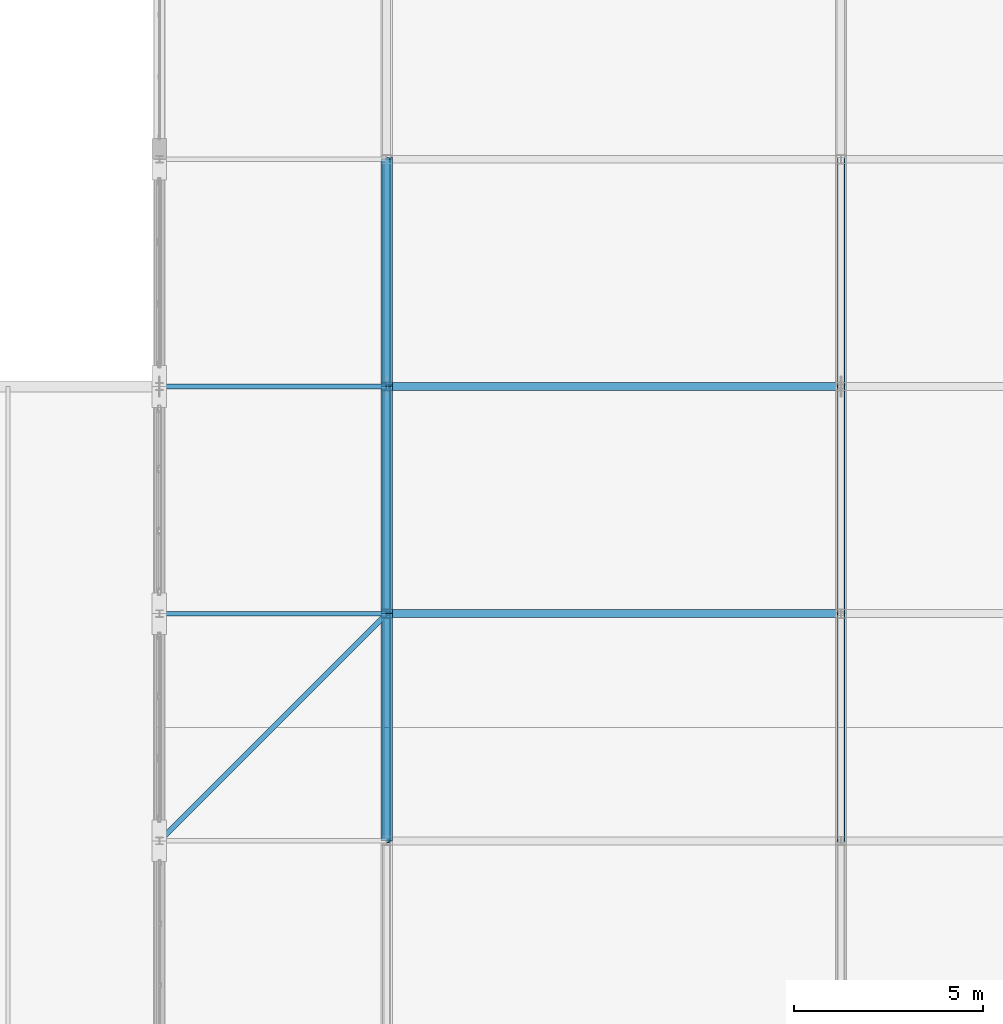
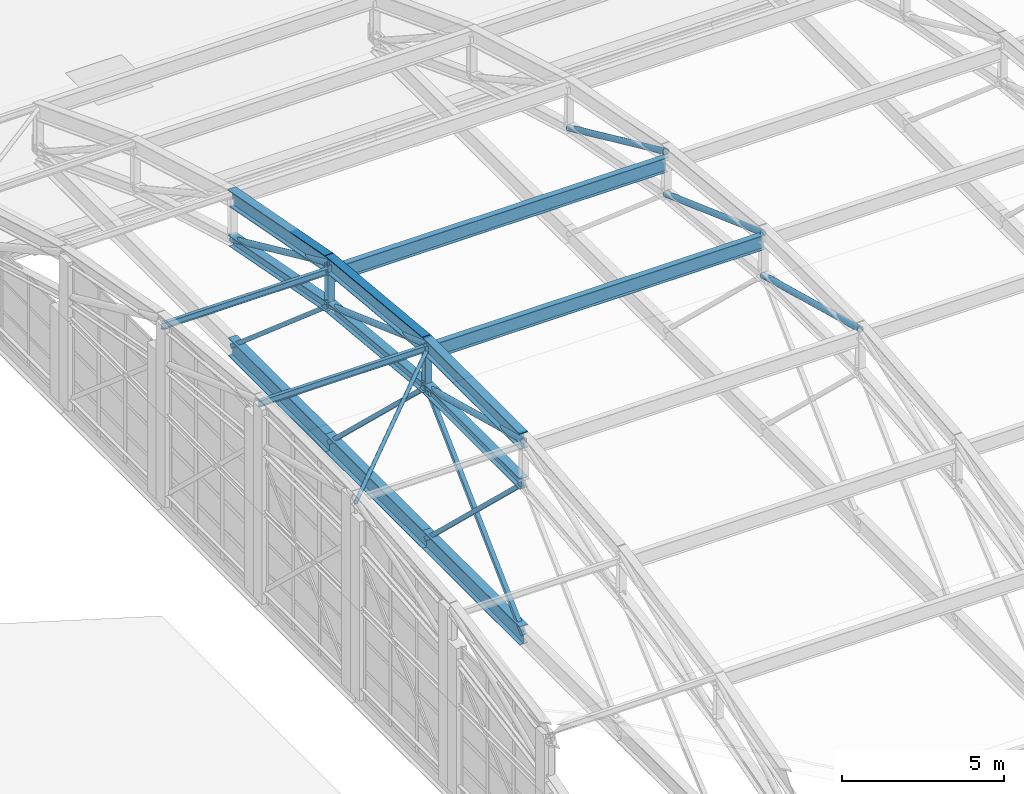
# One storey, part 85 of 204: 26 members.
"""IFC4 building model written with IfcOpenShell, lengths in metres."""

from ifc_helpers import new_model, si_unit, direction, frame, origin, origin_2d, place, context, subcontext, project, spatial, hollow_rectangle, hollow_circle, i_section, extrude, material, material_profile, profile_set, type_object, element, save


model = new_model("IFC4")

# Units and contexts
model_context = context("Model", 3, precision=1e-05, world=origin(), true_north=direction((0.0, 1.0)))
body_context = subcontext(model_context, "Body", "Model", "MODEL_VIEW")
ifc_project = project(units=[si_unit("LENGTHUNIT", "METRE"), si_unit("AREAUNIT", "SQUARE_METRE"), si_unit("VOLUMEUNIT", "CUBIC_METRE"), si_unit("PLANEANGLEUNIT", "RADIAN"), si_unit("MASSUNIT", "GRAM", prefix="KILO")], contexts=[model_context])

# Site, building, storey
site_placement = place(None, origin())
site = spatial("IfcSite", under=ifc_project, at=site_placement, CompositionType="ELEMENT")
building_placement = place(site_placement, origin())
building = spatial("IfcBuilding", under=site, at=building_placement, Name="Zilviju Railside Exhibition Hall", CompositionType="ELEMENT")
storey_placement = place(building_placement, frame((0.0, 0.0, 21.0)))
storey = spatial("IfcBuildingStorey", under=building, at=storey_placement, Name="RF", CompositionType="ELEMENT", Elevation=21.0)

# Members
ifc_material = material(Name="Steel S355J2", Category="steel")
ifc_material_profile_1 = material_profile(ifc_material, hollow_circle(Radius=0.06982421875, WallThickness=0.00634765625, at=origin_2d()), Name="CHS 139.7x6.3")
ifc_profile_set_1 = profile_set([ifc_material_profile_1], Name="Steel S355J2")
member_type_1 = type_object("IfcMemberType", Name="TR-BR-CHS139", PredefinedType="BRACE", material=ifc_profile_set_1)
member_1_placement = place(storey_placement, frame((78.0, 108.0, 3.50341796875), z_axis=(0.707106781187, 0.707106781187, 0.0), x_axis=(-0.707106781187, 0.707106781187, 0.0)))
element("IfcMember", 1, at=member_1_placement, inside=storey, type_object=member_type_1, Name="V2 Roof Wind Brace (78.0..84.0)", PredefinedType="BRACE", context=body_context, shape_type="SweptSolid", body=[
    extrude(hollow_circle(Radius=0.06982421875, WallThickness=0.00634765625, at=origin_2d()), origin(), (0.0, 0.0, 1.0), 8.4853515625),
])
ifc_material_profile_2 = material_profile(ifc_material, hollow_circle(Radius=0.109619140625, WallThickness=0.010009765625, at=origin_2d()), Name="CHS 219.1x10.0")
ifc_profile_set_2 = profile_set([ifc_material_profile_2], Name="Steel S355J2")
member_type_2 = type_object("IfcMemberType", Name="TR-BR-CHS219", PredefinedType="BRACE", material=ifc_profile_set_2)
member_2_placement = place(storey_placement, frame((84.0, 108.0, 3.728515625), z_axis=(0.0, 0.966231024199, -0.25767733287), x_axis=(-1.0, 0.0, 0.0)))
element("IfcMember", 2, at=member_2_placement, inside=storey, type_object=member_type_2, Name="V2 Parabolic Arch Web Diagonal X=84.0 P5", PredefinedType="BRACE", context=body_context, shape_type="SweptSolid", body=[
    extrude(hollow_circle(Radius=0.109619140625, WallThickness=0.010009765625, at=origin_2d()), origin(), (0.0, 0.0, 1.0), 6.209716796875),
])
member_3_placement = place(storey_placement, frame((84.0, 114.0, 3.728515625), z_axis=(0.0, 0.940243888255, -0.340501733621), x_axis=(-1.0, 0.0, 0.0)))
element("IfcMember", 3, at=member_3_placement, inside=storey, type_object=member_type_2, Name="V2 Parabolic Arch Web Diagonal X=84.0 P6", PredefinedType="BRACE", context=body_context, shape_type="SweptSolid", body=[
    extrude(hollow_circle(Radius=0.109619140625, WallThickness=0.010009765625, at=origin_2d()), origin(), (0.0, 0.0, 1.0), 6.38134765625),
])
member_4_placement = place(storey_placement, frame((84.0, 120.0, 3.155517578125), z_axis=(0.0, 0.909316915895, -0.416104249518), x_axis=(-1.0, 0.0, 0.0)))
element("IfcMember", 4, at=member_4_placement, inside=storey, type_object=member_type_2, Name="V2 Parabolic Arch Web Diagonal X=84.0 P7", PredefinedType="BRACE", context=body_context, shape_type="SweptSolid", body=[
    extrude(hollow_circle(Radius=0.109619140625, WallThickness=0.010009765625, at=origin_2d()), origin(), (0.0, 0.0, 1.0), 6.598388671875),
])
member_5_placement = place(storey_placement, frame((96.0, 108.0, 3.728515625), z_axis=(0.0, 0.966231024199, -0.25767733287), x_axis=(-1.0, 0.0, 0.0)))
element("IfcMember", 5, at=member_5_placement, inside=storey, type_object=member_type_2, Name="V2 Parabolic Arch Web Diagonal X=96.0 P5", PredefinedType="BRACE", context=body_context, shape_type="SweptSolid", body=[
    extrude(hollow_circle(Radius=0.109619140625, WallThickness=0.010009765625, at=origin_2d()), origin(), (0.0, 0.0, 1.0), 6.209716796875),
])
member_6_placement = place(storey_placement, frame((96.0, 114.0, 3.728515625), z_axis=(0.0, 0.940243888255, -0.340501733621), x_axis=(-1.0, 0.0, 0.0)))
element("IfcMember", 6, at=member_6_placement, inside=storey, type_object=member_type_2, Name="V2 Parabolic Arch Web Diagonal X=96.0 P6", PredefinedType="BRACE", context=body_context, shape_type="SweptSolid", body=[
    extrude(hollow_circle(Radius=0.109619140625, WallThickness=0.010009765625, at=origin_2d()), origin(), (0.0, 0.0, 1.0), 6.38134765625),
])
member_7_placement = place(storey_placement, frame((96.0, 120.0, 3.155517578125), z_axis=(0.0, 0.909316915895, -0.416104249518), x_axis=(-1.0, 0.0, 0.0)))
element("IfcMember", 7, at=member_7_placement, inside=storey, type_object=member_type_2, Name="V2 Parabolic Arch Web Diagonal X=96.0 P7", PredefinedType="BRACE", context=body_context, shape_type="SweptSolid", body=[
    extrude(hollow_circle(Radius=0.109619140625, WallThickness=0.010009765625, at=origin_2d()), origin(), (0.0, 0.0, 1.0), 6.598388671875),
])
ifc_material_profile_3 = material_profile(ifc_material, i_section(OverallWidth=0.300048828125, OverallDepth=0.39990234375, WebThickness=0.013427734375, FlangeThickness=0.02392578125, at=origin_2d()), Name="HEB 400")
ifc_profile_set_3 = profile_set([ifc_material_profile_3], Name="Steel S355J2")
member_type_3 = type_object("IfcMemberType", Name="TR-CH-HEB400", PredefinedType="CHORD", material=ifc_profile_set_3)
member_8_placement = place(storey_placement, frame((84.0, 108.0, 2.12841796875), z_axis=(0.0, 1.0, 0.0), x_axis=(-1.0, 0.0, 0.0)))
element("IfcMember", 8, at=member_8_placement, inside=storey, type_object=member_type_3, Name="V2 Parabolic Arch Bottom Chord X=84.0 P5", PredefinedType="CHORD", context=body_context, shape_type="SweptSolid", body=[
    extrude(i_section(OverallWidth=0.300048828125, OverallDepth=0.39990234375, WebThickness=0.013427734375, FlangeThickness=0.02392578125, at=origin_2d()), origin(), (0.0, 0.0, 1.0), 6.0),
])
member_9_placement = place(storey_placement, frame((84.0, 114.0, 2.12841796875), z_axis=(0.0, 0.995474695123, -0.095027003367), x_axis=(-1.0, 0.0, 0.0)))
element("IfcMember", 9, at=member_9_placement, inside=storey, type_object=member_type_3, Name="V2 Parabolic Arch Bottom Chord X=84.0 P6", PredefinedType="CHORD", context=body_context, shape_type="SweptSolid", body=[
    extrude(i_section(OverallWidth=0.300048828125, OverallDepth=0.39990234375, WebThickness=0.013427734375, FlangeThickness=0.02392578125, at=origin_2d()), origin(), (0.0, 0.0, 1.0), 6.02734375),
])
member_10_placement = place(storey_placement, frame((84.0, 120.0, 1.5556640625), z_axis=(0.0, 0.98225135267, -0.187569400964), x_axis=(-1.0, 0.0, 0.0)))
element("IfcMember", 10, at=member_10_placement, inside=storey, type_object=member_type_3, Name="V2 Parabolic Arch Bottom Chord X=84.0 P7", PredefinedType="CHORD", context=body_context, shape_type="SweptSolid", body=[
    extrude(i_section(OverallWidth=0.300048828125, OverallDepth=0.39990234375, WebThickness=0.013427734375, FlangeThickness=0.02392578125, at=origin_2d()), origin(), (0.0, 0.0, 1.0), 6.1083984375),
])
ifc_material_profile_4 = material_profile(ifc_material, i_section(OverallWidth=0.300048828125, OverallDepth=0.60009765625, WebThickness=0.015380859375, FlangeThickness=0.030029296875, at=origin_2d()), Name="HEB 600")
ifc_profile_set_4 = profile_set([ifc_material_profile_4], Name="Steel S355J2")
member_type_4 = type_object("IfcMemberType", Name="TR-CH-HEB600", PredefinedType="CHORD", material=ifc_profile_set_4)
member_11_placement = place(storey_placement, frame((84.0, 108.0, 3.728515625), z_axis=(0.0, 1.0, 0.0), x_axis=(-1.0, 0.0, 0.0)))
element("IfcMember", 11, at=member_11_placement, inside=storey, type_object=member_type_4, Name="V2 Parabolic Arch Top Chord X=84.0 P5", PredefinedType="CHORD", context=body_context, shape_type="SweptSolid", body=[
    extrude(i_section(OverallWidth=0.300048828125, OverallDepth=0.60009765625, WebThickness=0.015380859375, FlangeThickness=0.030029296875, at=origin_2d()), origin(), (0.0, 0.0, 1.0), 6.0),
])
member_12_placement = place(storey_placement, frame((84.0, 114.0, 3.728515625), z_axis=(0.0, 0.995470862587, -0.095067143331), x_axis=(-1.0, 0.0, 0.0)))
element("IfcMember", 12, at=member_12_placement, inside=storey, type_object=member_type_4, Name="V2 Parabolic Arch Top Chord X=84.0 P6", PredefinedType="CHORD", context=body_context, shape_type="SweptSolid", body=[
    extrude(i_section(OverallWidth=0.300048828125, OverallDepth=0.60009765625, WebThickness=0.015380859375, FlangeThickness=0.030029296875, at=origin_2d()), origin(), (0.0, 0.0, 1.0), 6.02734375),
])
member_13_placement = place(storey_placement, frame((84.0, 120.0, 3.155517578125), z_axis=(0.0, 0.98225135267, -0.187569400964), x_axis=(-1.0, 0.0, 0.0)))
element("IfcMember", 13, at=member_13_placement, inside=storey, type_object=member_type_4, Name="V2 Parabolic Arch Top Chord X=84.0 P7", PredefinedType="CHORD", context=body_context, shape_type="SweptSolid", body=[
    extrude(i_section(OverallWidth=0.300048828125, OverallDepth=0.60009765625, WebThickness=0.015380859375, FlangeThickness=0.030029296875, at=origin_2d()), origin(), (0.0, 0.0, 1.0), 6.1083984375),
])
ifc_material_profile_5 = material_profile(ifc_material, i_section(OverallWidth=0.239990234375, OverallDepth=0.22998046875, WebThickness=0.007568359375, FlangeThickness=0.011962890625, at=origin_2d()), Name="HEA 240")
ifc_profile_set_5 = profile_set([ifc_material_profile_5], Name="Steel S355J2")
member_type_5 = type_object("IfcMemberType", Name="TR-POST-HEA240", PredefinedType="POST", material=ifc_profile_set_5)
member_14_placement = place(storey_placement, frame((84.0, 114.0, 2.12841796875), z_axis=(0.0, 0.0, 1.0), x_axis=(1.0, 0.0, 0.0)))
element("IfcMember", 14, at=member_14_placement, inside=storey, type_object=member_type_5, Name="V2 Parabolic Arch Web Post X=84.0 N5", PredefinedType="POST", context=body_context, shape_type="SweptSolid", body=[
    extrude(i_section(OverallWidth=0.239990234375, OverallDepth=0.22998046875, WebThickness=0.007568359375, FlangeThickness=0.011962890625, at=origin_2d()), origin(), (0.0, 0.0, 1.0), 1.60009765625),
])
member_15_placement = place(storey_placement, frame((84.0, 120.0, 1.5556640625), z_axis=(0.0, 0.0, 1.0), x_axis=(1.0, 0.0, 0.0)))
element("IfcMember", 15, at=member_15_placement, inside=storey, type_object=member_type_5, Name="V2 Parabolic Arch Web Post X=84.0 N6", PredefinedType="POST", context=body_context, shape_type="SweptSolid", body=[
    extrude(i_section(OverallWidth=0.239990234375, OverallDepth=0.22998046875, WebThickness=0.007568359375, FlangeThickness=0.011962890625, at=origin_2d()), origin(), (0.0, 0.0, 1.0), 1.599853515625),
])
ifc_material_profile_6 = material_profile(ifc_material, hollow_rectangle(XDim=0.14990234375, YDim=0.14990234375, WallThickness=0.008056640625, at=origin_2d()), Name="SHS 150x150x8.0")
ifc_profile_set_6 = profile_set([ifc_material_profile_6], Name="Steel S355J2")
member_type_6 = type_object("IfcMemberType", Name="TR-POST-SHS150", PredefinedType="POST", material=ifc_profile_set_6)
for number, where, z_axis, x_axis, name in (
    (16, (84.0, 108.0, -3.60009765625), (0.0, 0.723280707221, 0.690554138763), (-1.0, 0.0, 0.0), "V2 Arch Tie Hanger X=84.0 N4"),
    (17, (84.0, 114.0, -3.60009765625), (0.0, -0.723280707221, 0.690554138763), (1.0, 0.0, 0.0), "V2 Arch Tie Hanger X=84.0 N5"),
    (18, (84.0, 120.0, -3.60009765625), (0.0, -0.723280707221, 0.690554138763), (1.0, 0.0, 0.0), "V2 Arch Tie Hanger X=84.0 N6"),
):
    element("IfcMember", number, at=place(storey_placement, frame(where, z_axis=z_axis, x_axis=x_axis)), inside=storey, type_object=member_type_6, Name=name, PredefinedType="POST", context=body_context, shape_type="SweptSolid", body=[
        extrude(hollow_rectangle(XDim=0.14990234375, YDim=0.14990234375, WallThickness=0.008056640625, at=origin_2d()), origin(), (0.0, 0.0, 1.0), 8.295654296875),
    ])
member_16_placement = place(storey_placement, frame((84.0, 126.0, -3.60009765625), z_axis=(0.0, -0.758449992634, 0.651731239602), x_axis=(1.0, 0.0, 0.0)))
element("IfcMember", 19, at=member_16_placement, inside=storey, type_object=member_type_6, Name="V2 Arch Tie Hanger X=84.0 N7", PredefinedType="POST", context=body_context, shape_type="SweptSolid", body=[
    extrude(hollow_rectangle(XDim=0.14990234375, YDim=0.14990234375, WallThickness=0.008056640625, at=origin_2d()), origin(), (0.0, 0.0, 1.0), 7.910888671875),
])
ifc_material_profile_7 = material_profile(ifc_material, i_section(OverallWidth=0.1201171875, OverallDepth=0.239990234375, WebThickness=0.006103515625, FlangeThickness=0.009765625, at=origin_2d()), Name="IPE 240")
ifc_profile_set_7 = profile_set([ifc_material_profile_7], Name="Steel S355J2")
member_type_7 = type_object("IfcMemberType", Name="TR-PUR-IPE240", PredefinedType="PURLIN", material=ifc_profile_set_7)
for number, where, z_axis, x_axis, name in (
    (20, (78.0, 114.0, 3.593017578125), (1.0, 0.0, 0.0), (0.0, 1.0, 0.0), "V2 Barrel Vault Roof Purlin Y=114.0 (78.0..84.0)"),
    (21, (78.0, 120.0, 2.877197265625), (1.0, 0.0, 0.0), (0.0, 1.0, 0.0), "V2 Barrel Vault Roof Purlin Y=120.0 (78.0..84.0)"),
):
    element("IfcMember", number, at=place(storey_placement, frame(where, z_axis=z_axis, x_axis=x_axis)), inside=storey, type_object=member_type_7, Name=name, PredefinedType="PURLIN", context=body_context, shape_type="SweptSolid", body=[
        extrude(i_section(OverallWidth=0.1201171875, OverallDepth=0.239990234375, WebThickness=0.006103515625, FlangeThickness=0.009765625, at=origin_2d()), origin(), (0.0, 0.0, 1.0), 6.0),
    ])
ifc_material_profile_8 = material_profile(ifc_material, i_section(OverallWidth=0.2099609375, OverallDepth=0.550048828125, WebThickness=0.010986328125, FlangeThickness=0.01708984375, at=origin_2d()), Name="IPE 550")
ifc_profile_set_8 = profile_set([ifc_material_profile_8], Name="Steel S355J2")
member_type_8 = type_object("IfcMemberType", Name="TR-PUR-IPE550", PredefinedType="PURLIN", material=ifc_profile_set_8)
for number, where, z_axis, x_axis, name in (
    (22, (84.0, 114.0, 3.4326171875), (1.0, 0.0, 0.0), (0.0, 1.0, 0.0), "V2 Barrel Vault Roof Purlin Y=114.0 (84.0..96.0)"),
    (23, (84.0, 120.0, 2.716796875), (1.0, 0.0, 0.0), (0.0, 1.0, 0.0), "V2 Barrel Vault Roof Purlin Y=120.0 (84.0..96.0)"),
):
    element("IfcMember", number, at=place(storey_placement, frame(where, z_axis=z_axis, x_axis=x_axis)), inside=storey, type_object=member_type_8, Name=name, PredefinedType="PURLIN", context=body_context, shape_type="SweptSolid", body=[
        extrude(i_section(OverallWidth=0.2099609375, OverallDepth=0.550048828125, WebThickness=0.010986328125, FlangeThickness=0.01708984375, at=origin_2d()), origin(), (0.0, 0.0, 1.0), 12.0),
    ])
ifc_material_profile_9 = material_profile(ifc_material, i_section(OverallWidth=0.300048828125, OverallDepth=0.699951171875, WebThickness=0.01708984375, FlangeThickness=0.031982421875, at=origin_2d()), Name="HEB 700")
ifc_profile_set_9 = profile_set([ifc_material_profile_9], Name="Steel S355J2")
member_type_9 = type_object("IfcMemberType", Name="TR-TIE-HEB700", PredefinedType="CHORD", material=ifc_profile_set_9)
for number, where, z_axis, x_axis, name in (
    (24, (84.0, 108.0, -3.60009765625), (0.0, 1.0, 0.0), (-1.0, 0.0, 0.0), "V2 Arch Tie Member X=84.0"),
    (25, (84.0, 114.0, -3.60009765625), (0.0, 1.0, 0.0), (-1.0, 0.0, 0.0), "V2 Arch Tie Member X=84.0"),
    (26, (84.0, 120.0, -3.60009765625), (0.0, 1.0, 0.0), (-1.0, 0.0, 0.0), "V2 Arch Tie Member X=84.0"),
):
    element("IfcMember", number, at=place(storey_placement, frame(where, z_axis=z_axis, x_axis=x_axis)), inside=storey, type_object=member_type_9, Name=name, PredefinedType="CHORD", context=body_context, shape_type="SweptSolid", body=[
        extrude(i_section(OverallWidth=0.300048828125, OverallDepth=0.699951171875, WebThickness=0.01708984375, FlangeThickness=0.031982421875, at=origin_2d()), origin(), (0.0, 0.0, 1.0), 6.0),
    ])

save(model, "model.ifc")
